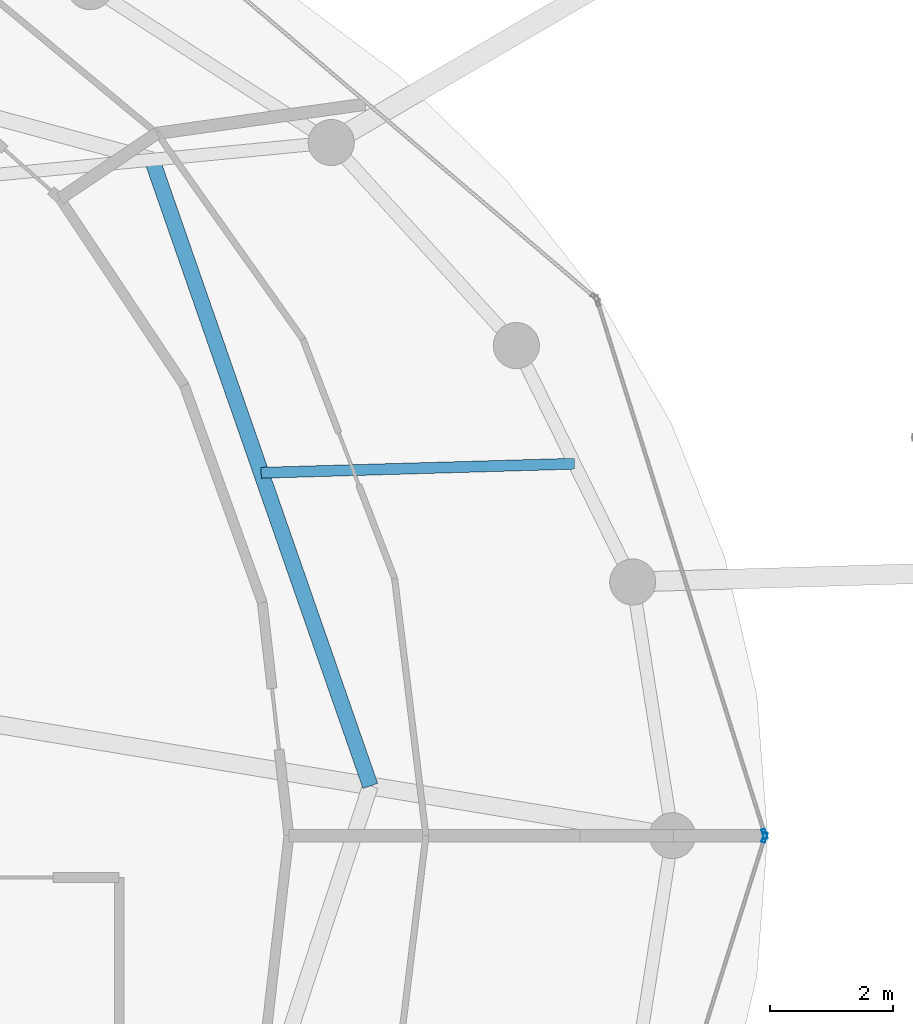
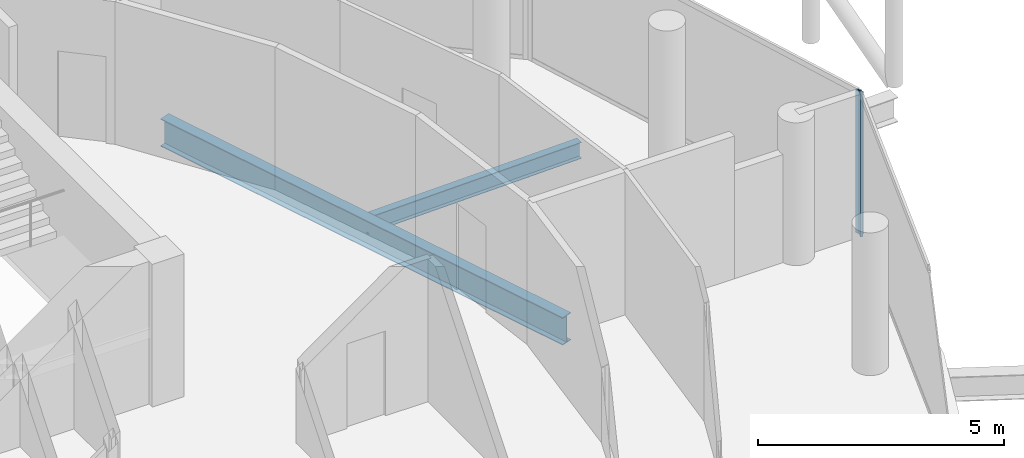
# One storey, part 12 of 24: 2 beams, 2 members, 2 elements without a shape of their own.
"""IFC4 building model written with IfcOpenShell, lengths in metres."""

from ifc_helpers import new_model, si_unit, direction, frame, origin, origin_2d, place, context, subcontext, project, spatial, hollow_rectangle, i_section, extrude, material, layer, layer_set, material_profile, profile_set, type_object, element, aggregate, save


model = new_model("IFC4")

# Units and contexts
model_context = context("Model", 3, precision=1e-05, world=origin(), true_north=direction((0.0, 1.0)))
body_context = subcontext(model_context, "Body", "Model", "MODEL_VIEW")
ifc_project = project(units=[si_unit("LENGTHUNIT", "METRE"), si_unit("AREAUNIT", "SQUARE_METRE"), si_unit("VOLUMEUNIT", "CUBIC_METRE"), si_unit("PLANEANGLEUNIT", "RADIAN"), si_unit("MASSUNIT", "GRAM", prefix="KILO")], contexts=[model_context])

# Site, building, storey
site_placement = place(None, origin())
site = spatial("IfcSite", under=ifc_project, at=site_placement, CompositionType="ELEMENT")
building_placement = place(site_placement, origin())
building = spatial("IfcBuilding", under=site, at=building_placement, Name="Nuhasar Tower", CompositionType="ELEMENT")
storey_placement = place(building_placement, frame((0.0, 0.0, 274.60009765625)))
storey = spatial("IfcBuildingStorey", under=building, at=storey_placement, Name="L68", CompositionType="ELEMENT", Elevation=274.60009765625)

# Beams
ifc_material_1 = material(Name="Steel S355", Category="steel")
ifc_material_profile_1 = material_profile(ifc_material_1, i_section(OverallWidth=0.25390625, OverallDepth=0.68408203125, WebThickness=0.012451171875, FlangeThickness=0.018798828125, at=origin_2d()), Name="W27X94")
ifc_profile_set_1 = profile_set([ifc_material_profile_1], Name="Steel S355")
beam_type_1 = type_object("IfcBeamType", Name="BM-INRING-W27X94", PredefinedType="BEAM", material=ifc_profile_set_1)
beam_1_placement = place(storey_placement, frame((53.035888671875, 27.610107421875, -0.60205078125), z_axis=(-0.329211236979, 0.944256300718, 0.0), x_axis=(-0.944256300718, -0.329211236979, 0.0)))
element("IfcBeam", 1, at=beam_1_placement, inside=storey, type_object=beam_type_1, Name="L68 Inner Header Beam 04", PredefinedType="BEAM", context=body_context, shape_type="SweptSolid", body=[
    extrude(i_section(OverallWidth=0.25390625, OverallDepth=0.68408203125, WebThickness=0.012451171875, FlangeThickness=0.018798828125, at=origin_2d()), origin(), (0.0, 0.0, 1.0), 10.78955078125),
])
ifc_material_profile_2 = material_profile(ifc_material_1, i_section(OverallWidth=0.177978515625, OverallDepth=0.406005859375, WebThickness=0.0078125, FlangeThickness=0.0126953125, at=origin_2d()), Name="W16X40")
ifc_profile_set_2 = profile_set([ifc_material_profile_2], Name="Steel S355")
beam_type_2 = type_object("IfcBeamType", Name="BM-JST-W16X40", PredefinedType="JOIST", material=ifc_profile_set_2)
beam_2_placement = place(storey_placement, frame((51.260009765625, 32.7041015625, -0.463134765625), z_axis=(0.999579139243, 0.02900938453, 0.0), x_axis=(-0.02900938453, 0.999579139243, 0.0)))
element("IfcBeam", 2, at=beam_2_placement, inside=storey, type_object=beam_type_2, Name="L68 Secondary Floor Joist 04", PredefinedType="JOIST", context=body_context, shape_type="SweptSolid", body=[
    extrude(i_section(OverallWidth=0.177978515625, OverallDepth=0.406005859375, WebThickness=0.0078125, FlangeThickness=0.0126953125, at=origin_2d()), origin(), (0.0, 0.0, 1.0), 5.10009765625),
])

# Curtain wall, member
ifc_material_2 = material(Name="Aluminium 6063-T6", Category="aluminium")
ifc_layer = layer(ifc_material_2, 0.18994140625)
ifc_layer_set = layer_set([ifc_layer], Name="Aluminium 6063-T6")
curtain_wall_type = type_object("IfcCurtainWallType", Name="CW-Z4-PEN", PredefinedType="NOTDEFINED", material=ifc_layer_set)
curtain_wall_1_placement = place(storey_placement, origin())
curtain_wall_1 = element("IfcCurtainWall", 3, at=curtain_wall_1_placement, inside=storey, type_object=curtain_wall_type, Name="L68 Unitised Curtain Wall 01", PredefinedType="NOTDEFINED")
ifc_material_profile_3 = material_profile(ifc_material_2, hollow_rectangle(XDim=0.06005859375, YDim=0.1650390625, WallThickness=0.0048828125, at=origin_2d()), Name="CWM-5")
ifc_profile_set_3 = profile_set([ifc_material_profile_3], Name="Aluminium 6063-T6")
member_type = type_object("IfcMemberType", Name="CW-MUL-S5", PredefinedType="MULLION", material=ifc_profile_set_3)
member_1_placement = place(storey_placement, frame((59.450927734375, 26.82861328125, 0.0), z_axis=(0.0, 0.0, 1.0), x_axis=(-0.954078526601, -0.299556614146, 0.0)))
member_1 = element("IfcMember", 4, at=member_1_placement, type_object=member_type, Name="CW-Z4 mullion 1", PredefinedType="MULLION", context=body_context, shape_type="SweptSolid", body=[
    extrude(hollow_rectangle(XDim=0.06005859375, YDim=0.1650390625, WallThickness=0.0048828125, at=origin_2d()), origin(), (0.0, 0.0, 1.0), 3.539794921875),
])
aggregate(curtain_wall_1, [member_1])

curtain_wall_2_placement = place(storey_placement, origin())
curtain_wall_2 = element("IfcCurtainWall", 5, at=curtain_wall_2_placement, inside=storey, type_object=curtain_wall_type, Name="L68 Unitised Curtain Wall 12", PredefinedType="NOTDEFINED")
member_2_placement = place(storey_placement, frame((59.450927734375, 26.771484375, 0.0), z_axis=(0.0, 0.0, 1.0), x_axis=(-0.954078526601, 0.299556614146, 0.0)))
member_2 = element("IfcMember", 6, at=member_2_placement, type_object=member_type, Name="CW-Z4 mullion 2", PredefinedType="MULLION", context=body_context, shape_type="SweptSolid", body=[
    extrude(hollow_rectangle(XDim=0.06005859375, YDim=0.1650390625, WallThickness=0.0048828125, at=origin_2d()), origin(), (0.0, 0.0, 1.0), 3.539794921875),
])
aggregate(curtain_wall_2, [member_2])

save(model, "model.ifc")
